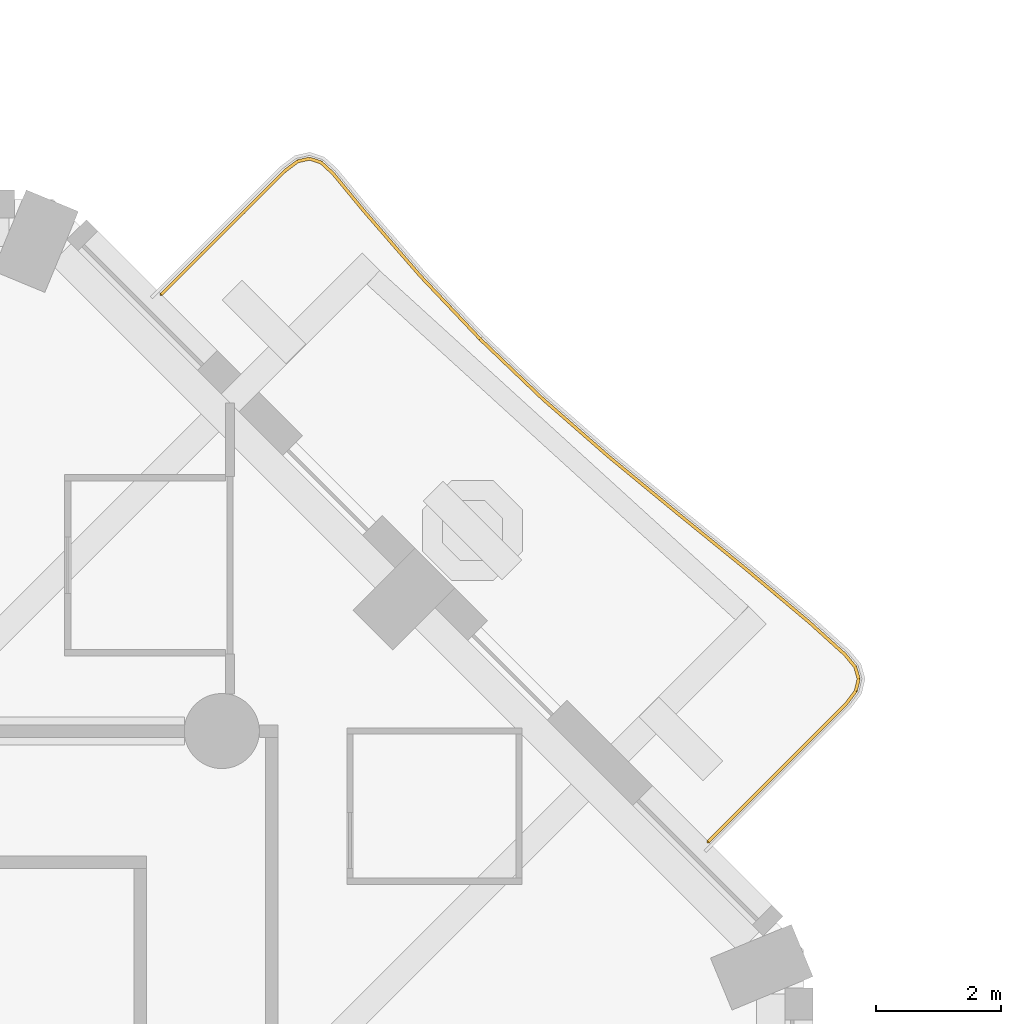
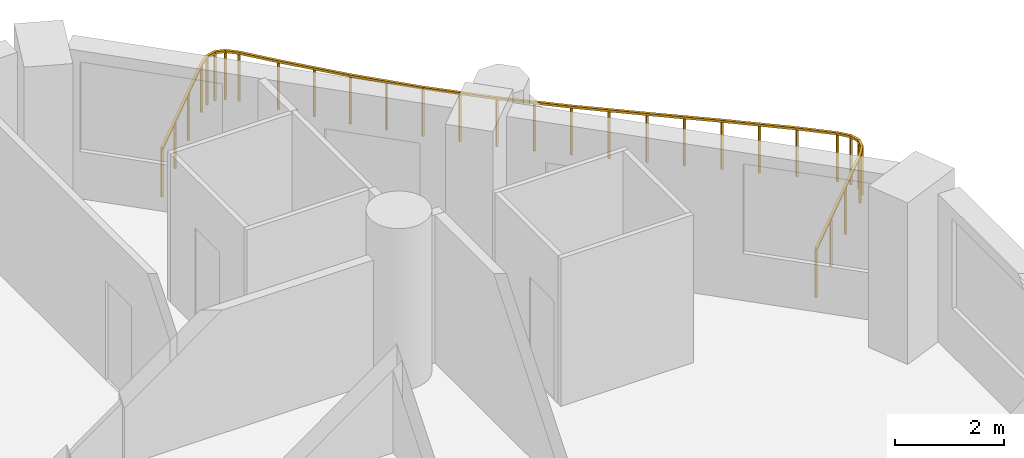
# One storey, part 19 of 20: 1 railing.
"""IFC4 building model written with IfcOpenShell, lengths in metres."""

from ifc_helpers import new_model, si_unit, direction, frame, origin, origin_2d, place, context, subcontext, project, spatial, rectangle, extrude, material, type_object, element, save


model = new_model("IFC4")

# Units and contexts
model_context = context("Model", 3, precision=1e-05, world=origin(), true_north=direction((0.0, 1.0)))
body_context = subcontext(model_context, "Body", "Model", "MODEL_VIEW")
ifc_project = project(units=[si_unit("LENGTHUNIT", "METRE"), si_unit("AREAUNIT", "SQUARE_METRE"), si_unit("VOLUMEUNIT", "CUBIC_METRE"), si_unit("PLANEANGLEUNIT", "RADIAN"), si_unit("MASSUNIT", "GRAM", prefix="KILO")], contexts=[model_context])

# Site, building, storey
site_placement = place(None, origin())
site = spatial("IfcSite", under=ifc_project, at=site_placement, CompositionType="ELEMENT")
building_placement = place(site_placement, origin())
building = spatial("IfcBuilding", under=site, at=building_placement, Name="Cypress Arch Tower", CompositionType="ELEMENT")
storey_placement = place(building_placement, frame((0.0, 0.0, 55.5)))
storey = spatial("IfcBuildingStorey", under=building, at=storey_placement, Name="L07", CompositionType="ELEMENT", Elevation=55.5)

# Railing
ifc_material = material(Name="Powder-coated steel posts and rods, 100 mm clear between rods", Category="steel")
railing_type = type_object("IfcRailingType", Name="Balcony guard GR1100", PredefinedType="GUARDRAIL", material=ifc_material)
railing_placement = place(storey_placement, frame((14.33251953125, 24.479736328125, 0.0)))
element("IfcRailing", 1, at=railing_placement, inside=storey, type_object=railing_type, Name="Balcony guard L07-A07", PredefinedType="GUARDRAIL", context=body_context, shape_type="SweptSolid", body=[
    extrude(rectangle(XDim=0.050048828125, YDim=0.050048828125, at=origin_2d()), frame((0.0, 0.0, 1.0751953125), z_axis=(0.70706303676, 0.707150522907, 0.0), x_axis=(-0.707150522907, 0.70706303676, 0.0)), (0.0, 0.0, 1.0), 2.79052734375),
    extrude(rectangle(XDim=0.050048828125, YDim=0.050048828125, at=origin_2d()), frame((1.97314453125, 1.973388671875, 1.0751953125), z_axis=(0.800791605155, 0.598943073349, 0.0), x_axis=(-0.598943073349, 0.800791605155, 0.0)), (0.0, 0.0, 1.0), 0.2587890625),
    extrude(rectangle(XDim=0.050048828125, YDim=0.050048828125, at=origin_2d()), frame((2.180419921875, 2.12841796875, 1.0751953125), z_axis=(0.975979195226, 0.217863742934, 0.0), x_axis=(-0.217863742934, 0.975979195226, 0.0)), (0.0, 0.0, 1.0), 0.19384765625),
    extrude(rectangle(XDim=0.050048828125, YDim=0.050048828125, at=origin_2d()), frame((2.36962890625, 2.170654296875, 1.0751953125), z_axis=(0.949935630606, -0.312445671605, 0.0), x_axis=(0.312445671605, 0.949935630606, 0.0)), (0.0, 0.0, 1.0), 0.19384765625),
    extrude(rectangle(XDim=0.050048828125, YDim=0.050048828125, at=origin_2d()), frame((2.5537109375, 2.110107421875, 1.0751953125), z_axis=(0.738914385841, -0.67379932502, 0.0), x_axis=(0.67379932502, 0.738914385841, 0.0)), (0.0, 0.0, 1.0), 0.2587890625),
    extrude(rectangle(XDim=0.050048828125, YDim=0.050048828125, at=origin_2d()), frame((2.744873046875, 1.935791015625, 1.0751953125), z_axis=(0.634944143774, -0.772558045902, 0.0), x_axis=(0.772558045902, 0.634944143774, 0.0)), (0.0, 0.0, 1.0), 0.762939453125),
    extrude(rectangle(XDim=0.050048828125, YDim=0.050048828125, at=origin_2d()), frame((3.229248046875, 1.346435546875, 1.0751953125), z_axis=(0.655591853441, -0.755115436011, 0.0), x_axis=(0.755115436011, 0.655591853441, 0.0)), (0.0, 0.0, 1.0), 1.390869140625),
    extrude(rectangle(XDim=0.050048828125, YDim=0.050048828125, at=origin_2d()), frame((4.14111328125, 0.296142578125, 1.0751953125), z_axis=(0.687681242881, -0.726012746575, 0.0), x_axis=(0.726012746575, 0.687681242881, 0.0)), (0.0, 0.0, 1.0), 1.388427734375),
    extrude(rectangle(XDim=0.050048828125, YDim=0.050048828125, at=origin_2d()), frame((5.095947265625, -0.7119140625, 1.0751953125), z_axis=(0.722844264149, -0.691010976604, 0.0), x_axis=(0.691010976604, 0.722844264149, 0.0)), (0.0, 0.0, 1.0), 1.38818359375),
    extrude(rectangle(XDim=0.050048828125, YDim=0.050048828125, at=origin_2d()), frame((6.099365234375, -1.671142578125, 1.0751953125), z_axis=(0.752837657754, -0.658206245084, 0.0), x_axis=(0.658206245084, 0.752837657754, 0.0)), (0.0, 0.0, 1.0), 1.390625),
    extrude(rectangle(XDim=0.050048828125, YDim=0.050048828125, at=origin_2d()), frame((7.146240234375, -2.58642578125, 1.0751953125), z_axis=(0.771601248471, -0.636106526738, 0.0), x_axis=(0.636106526738, 0.771601248471, 0.0)), (0.0, 0.0, 1.0), 1.392822265625),
    extrude(rectangle(XDim=0.050048828125, YDim=0.050048828125, at=origin_2d()), frame((8.220947265625, -3.472412109375, 1.0751953125), z_axis=(0.775937046149, -0.630810352177, 0.0), x_axis=(0.630810352177, 0.775937046149, 0.0)), (0.0, 0.0, 1.0), 1.392822265625),
    extrude(rectangle(XDim=0.050048828125, YDim=0.050048828125, at=origin_2d()), frame((9.3017578125, -4.35107421875, 1.0751953125), z_axis=(0.765448637762, -0.64349699529, 0.0), x_axis=(0.64349699529, 0.765448637762, 0.0)), (0.0, 0.0, 1.0), 1.389404296875),
    extrude(rectangle(XDim=0.050048828125, YDim=0.050048828125, at=origin_2d()), frame((10.365234375, -5.2451171875, 1.0751953125), z_axis=(0.741467158331, -0.670989160208, 0.0), x_axis=(0.670989160208, 0.741467158331, 0.0)), (0.0, 0.0, 1.0), 0.758544921875),
    extrude(rectangle(XDim=0.050048828125, YDim=0.050048828125, at=origin_2d()), frame((10.927734375, -5.754150390625, 1.0751953125), z_axis=(0.63879734614, -0.769375038954, 0.0), x_axis=(0.769375038954, 0.63879734614, 0.0)), (0.0, 0.0, 1.0), 0.260009765625),
    extrude(rectangle(XDim=0.050048828125, YDim=0.050048828125, at=origin_2d()), frame((11.09375, -5.9541015625, 1.0751953125), z_axis=(0.278445246114, -0.960452104437, 0.0), x_axis=(0.960452104437, 0.278445246114, 0.0)), (0.0, 0.0, 1.0), 0.198974609375),
    extrude(rectangle(XDim=0.050048828125, YDim=0.050048828125, at=origin_2d()), frame((11.149169921875, -6.145263671875, 1.0751953125), z_axis=(-0.2295181815, -0.973304373955, 0.0), x_axis=(0.973304373955, -0.2295181815, 0.0)), (0.0, 0.0, 1.0), 0.198974609375),
    extrude(rectangle(XDim=0.050048828125, YDim=0.050048828125, at=origin_2d()), frame((11.103515625, -6.3388671875, 1.0751953125), z_axis=(-0.599398552985, -0.8004507322, 0.0), x_axis=(0.8004507322, -0.599398552985, 0.0)), (0.0, 0.0, 1.0), 0.259765625),
    extrude(rectangle(XDim=0.050048828125, YDim=0.050048828125, at=origin_2d()), frame((10.94775390625, -6.546875, 1.0751953125), z_axis=(-0.707106781187, -0.707106781187, 0.0), x_axis=(0.707106781187, -0.707106781187, 0.0)), (0.0, 0.0, 1.0), 3.11181640625),
    extrude(rectangle(XDim=0.0400390625, YDim=0.0400390625, at=origin_2d()), origin(), (0.0, 0.0, 1.0), 1.050048828125),
    extrude(rectangle(XDim=0.0400390625, YDim=0.0400390625, at=origin_2d()), frame((0.65771484375, 0.65771484375, 0.0)), (0.0, 0.0, 1.0), 1.050048828125),
    extrude(rectangle(XDim=0.0400390625, YDim=0.0400390625, at=origin_2d()), frame((1.3154296875, 1.315673828125, 0.0)), (0.0, 0.0, 1.0), 1.050048828125),
    extrude(rectangle(XDim=0.0400390625, YDim=0.0400390625, at=origin_2d()), frame((1.97314453125, 1.973388671875, 0.0)), (0.0, 0.0, 1.0), 1.050048828125),
    extrude(rectangle(XDim=0.0400390625, YDim=0.0400390625, at=origin_2d()), frame((2.180419921875, 2.12841796875, 0.0)), (0.0, 0.0, 1.0), 1.050048828125),
    extrude(rectangle(XDim=0.0400390625, YDim=0.0400390625, at=origin_2d()), frame((2.36962890625, 2.170654296875, 0.0)), (0.0, 0.0, 1.0), 1.050048828125),
    extrude(rectangle(XDim=0.0400390625, YDim=0.0400390625, at=origin_2d()), frame((2.5537109375, 2.110107421875, 0.0)), (0.0, 0.0, 1.0), 1.050048828125),
    extrude(rectangle(XDim=0.0400390625, YDim=0.0400390625, at=origin_2d()), frame((2.744873046875, 1.935791015625, 0.0)), (0.0, 0.0, 1.0), 1.050048828125),
    extrude(rectangle(XDim=0.0400390625, YDim=0.0400390625, at=origin_2d()), frame((3.229248046875, 1.346435546875, 0.0)), (0.0, 0.0, 1.0), 1.050048828125),
    extrude(rectangle(XDim=0.0400390625, YDim=0.0400390625, at=origin_2d()), frame((3.68505859375, 0.8212890625, 0.0)), (0.0, 0.0, 1.0), 1.050048828125),
    extrude(rectangle(XDim=0.0400390625, YDim=0.0400390625, at=origin_2d()), frame((4.14111328125, 0.296142578125, 0.0)), (0.0, 0.0, 1.0), 1.050048828125),
    extrude(rectangle(XDim=0.0400390625, YDim=0.0400390625, at=origin_2d()), frame((4.61865234375, -0.2080078125, 0.0)), (0.0, 0.0, 1.0), 1.050048828125),
    extrude(rectangle(XDim=0.0400390625, YDim=0.0400390625, at=origin_2d()), frame((5.095947265625, -0.7119140625, 0.0)), (0.0, 0.0, 1.0), 1.050048828125),
    extrude(rectangle(XDim=0.0400390625, YDim=0.0400390625, at=origin_2d()), frame((5.59765625, -1.19140625, 0.0)), (0.0, 0.0, 1.0), 1.050048828125),
    extrude(rectangle(XDim=0.0400390625, YDim=0.0400390625, at=origin_2d()), frame((6.099365234375, -1.671142578125, 0.0)), (0.0, 0.0, 1.0), 1.050048828125),
    extrude(rectangle(XDim=0.0400390625, YDim=0.0400390625, at=origin_2d()), frame((6.622802734375, -2.12890625, 0.0)), (0.0, 0.0, 1.0), 1.050048828125),
    extrude(rectangle(XDim=0.0400390625, YDim=0.0400390625, at=origin_2d()), frame((7.146240234375, -2.58642578125, 0.0)), (0.0, 0.0, 1.0), 1.050048828125),
    extrude(rectangle(XDim=0.0400390625, YDim=0.0400390625, at=origin_2d()), frame((7.68359375, -3.029296875, 0.0)), (0.0, 0.0, 1.0), 1.050048828125),
    extrude(rectangle(XDim=0.0400390625, YDim=0.0400390625, at=origin_2d()), frame((8.220947265625, -3.472412109375, 0.0)), (0.0, 0.0, 1.0), 1.050048828125),
    extrude(rectangle(XDim=0.0400390625, YDim=0.0400390625, at=origin_2d()), frame((8.76123046875, -3.91162109375, 0.0)), (0.0, 0.0, 1.0), 1.050048828125),
    extrude(rectangle(XDim=0.0400390625, YDim=0.0400390625, at=origin_2d()), frame((9.3017578125, -4.35107421875, 0.0)), (0.0, 0.0, 1.0), 1.050048828125),
    extrude(rectangle(XDim=0.0400390625, YDim=0.0400390625, at=origin_2d()), frame((9.83349609375, -4.798095703125, 0.0)), (0.0, 0.0, 1.0), 1.050048828125),
    extrude(rectangle(XDim=0.0400390625, YDim=0.0400390625, at=origin_2d()), frame((10.365234375, -5.2451171875, 0.0)), (0.0, 0.0, 1.0), 1.050048828125),
    extrude(rectangle(XDim=0.0400390625, YDim=0.0400390625, at=origin_2d()), frame((10.927734375, -5.754150390625, 0.0)), (0.0, 0.0, 1.0), 1.050048828125),
    extrude(rectangle(XDim=0.0400390625, YDim=0.0400390625, at=origin_2d()), frame((11.09375, -5.9541015625, 0.0)), (0.0, 0.0, 1.0), 1.050048828125),
    extrude(rectangle(XDim=0.0400390625, YDim=0.0400390625, at=origin_2d()), frame((11.149169921875, -6.145263671875, 0.0)), (0.0, 0.0, 1.0), 1.050048828125),
    extrude(rectangle(XDim=0.0400390625, YDim=0.0400390625, at=origin_2d()), frame((11.103515625, -6.3388671875, 0.0)), (0.0, 0.0, 1.0), 1.050048828125),
    extrude(rectangle(XDim=0.0400390625, YDim=0.0400390625, at=origin_2d()), frame((10.94775390625, -6.546875, 0.0)), (0.0, 0.0, 1.0), 1.050048828125),
    extrude(rectangle(XDim=0.0400390625, YDim=0.0400390625, at=origin_2d()), frame((10.21435546875, -7.2802734375, 0.0)), (0.0, 0.0, 1.0), 1.050048828125),
    extrude(rectangle(XDim=0.0400390625, YDim=0.0400390625, at=origin_2d()), frame((9.480712890625, -8.013916015625, 0.0)), (0.0, 0.0, 1.0), 1.050048828125),
    extrude(rectangle(XDim=0.0400390625, YDim=0.0400390625, at=origin_2d()), frame((8.747314453125, -8.747314453125, 0.0)), (0.0, 0.0, 1.0), 1.050048828125),
])

save(model, "model.ifc")
